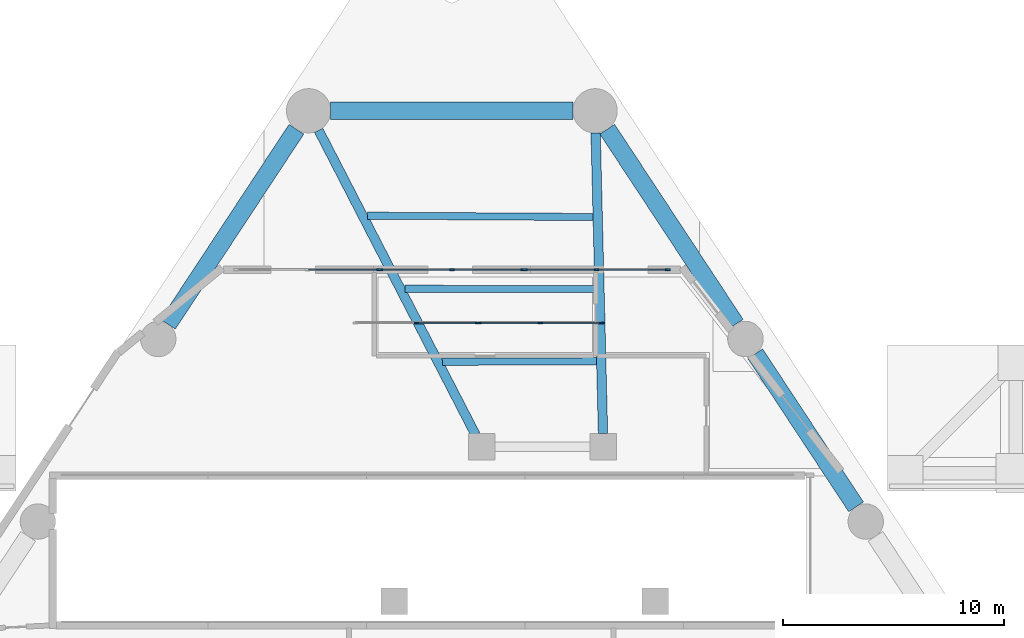
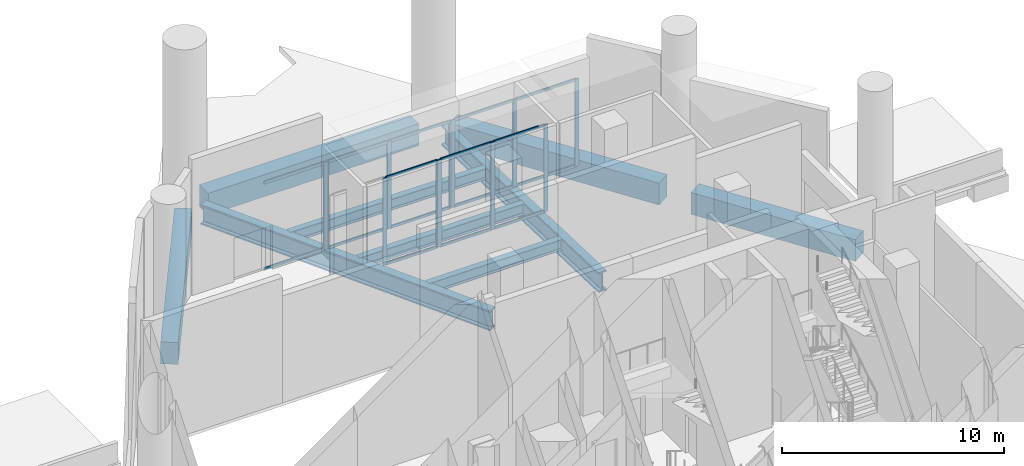
# One storey, part 4 of 12: 28 members, 9 beams, 5 elements without a shape of their own.
"""IFC4 building model written with IfcOpenShell, lengths in metres."""

from ifc_helpers import new_model, si_unit, direction, frame, origin, origin_2d, place, context, subcontext, project, spatial, rectangle, i_section, extrude, material, layer, layer_set, material_profile, profile_set, type_object, element, aggregate, save


model = new_model("IFC4")

# Units and contexts
model_context = context("Model", 3, precision=1e-05, world=origin(), true_north=direction((0.0, 1.0)))
body_context = subcontext(model_context, "Body", "Model", "MODEL_VIEW")
ifc_project = project(units=[si_unit("LENGTHUNIT", "METRE"), si_unit("AREAUNIT", "SQUARE_METRE"), si_unit("VOLUMEUNIT", "CUBIC_METRE"), si_unit("PLANEANGLEUNIT", "RADIAN"), si_unit("MASSUNIT", "GRAM", prefix="KILO")], contexts=[model_context])

# Site, building, storey
site_placement = place(None, origin())
site = spatial("IfcSite", under=ifc_project, at=site_placement, CompositionType="ELEMENT")
building_placement = place(site_placement, origin())
building = spatial("IfcBuilding", under=site, at=building_placement, Name="Almagre Mirador Tower", CompositionType="ELEMENT")
storey_placement = place(building_placement, origin())
storey = spatial("IfcBuildingStorey", under=building, at=storey_placement, Name="L00", CompositionType="ELEMENT", Elevation=0.0)

# Beams
ifc_material_1 = material(Name="Steel ASTM A992 Grade 50", Category="steel")
ifc_material_profile_1 = material_profile(ifc_material_1, i_section(OverallWidth=0.323974609375, OverallDepth=0.611083984375, WebThickness=0.0126953125, FlangeThickness=0.01904296875, FilletRadius=0.02001953125, at=origin_2d()), Name="W24X104")
ifc_profile_set_1 = profile_set([ifc_material_profile_1], Name="Steel ASTM A992 Grade 50")
beam_type_1 = type_object("IfcBeamType", Name="BM-JST-W24X104", PredefinedType="JOIST", material=ifc_profile_set_1)
beam_1_placement = place(storey_placement, frame((42.3837890625, 36.584716796875, -0.60546875), z_axis=(-0.99998337963, 0.005765454414, 0.0), x_axis=(-0.005765454414, -0.99998337963, 0.0)))
element("IfcBeam", 1, at=beam_1_placement, inside=storey, type_object=beam_type_1, Name="L00 secondary floor joist PC08-PC09.1", PredefinedType="JOIST", context=body_context, shape_type="SweptSolid", body=[
    extrude(i_section(OverallWidth=0.323974609375, OverallDepth=0.611083984375, WebThickness=0.0126953125, FlangeThickness=0.01904296875, FilletRadius=0.02001953125, at=origin_2d()), origin(), (0.0, 0.0, 1.0), 10.205322265625),
])
beam_2_placement = place(storey_placement, frame((42.463623046875, 33.32275390625, -0.60546875), z_axis=(-0.999997902347, 0.002048243314, 0.0), x_axis=(-0.002048243314, -0.999997902347, 0.0)))
element("IfcBeam", 2, at=beam_2_placement, inside=storey, type_object=beam_type_1, Name="L00 secondary floor joist PC08-PC09.2", PredefinedType="JOIST", context=body_context, shape_type="SweptSolid", body=[
    extrude(i_section(OverallWidth=0.323974609375, OverallDepth=0.611083984375, WebThickness=0.0126953125, FlangeThickness=0.01904296875, FilletRadius=0.02001953125, at=origin_2d()), origin(), (0.0, 0.0, 1.0), 8.58203125),
])
beam_3_placement = place(storey_placement, frame((42.54345703125, 30.060302734375, -0.60546875), z_axis=(-0.99999479165, -0.003227487137, 0.0), x_axis=(0.003227487137, -0.99999479165, 0.0)))
element("IfcBeam", 3, at=beam_3_placement, inside=storey, type_object=beam_type_1, Name="L00 secondary floor joist PC08-PC09.3", PredefinedType="JOIST", context=body_context, shape_type="SweptSolid", body=[
    extrude(i_section(OverallWidth=0.323974609375, OverallDepth=0.611083984375, WebThickness=0.0126953125, FlangeThickness=0.01904296875, FilletRadius=0.02001953125, at=origin_2d()), origin(), (0.0, 0.0, 1.0), 6.959228515625),
])
ifc_material_2 = material(Name="Precast concrete C50/60", Category="concrete")
ifc_material_profile_2 = material_profile(ifc_material_2, rectangle(XDim=0.800048828125, YDim=1.199951171875, at=origin_2d()), Name="RC800X1200")
ifc_profile_set_2 = profile_set([ifc_material_profile_2], Name="Precast concrete C50/60")
beam_type_2 = type_object("IfcBeamType", Name="BM-SPN-RC800X1200", PredefinedType="SPANDREL", material=ifc_profile_set_2)
beam_4_placement = place(storey_placement, frame((54.27783203125, 23.47998046875, -0.89990234375), z_axis=(-0.55020506323, 0.835029573366, 0.0), x_axis=(-0.835029573366, -0.55020506323, 0.0)))
element("IfcBeam", 4, at=beam_4_placement, inside=storey, type_object=beam_type_2, Name="L00 perimeter spandrel beam PC06-PC07", PredefinedType="SPANDREL", context=body_context, shape_type="SweptSolid", body=[
    extrude(rectangle(XDim=0.800048828125, YDim=1.199951171875, at=origin_2d()), origin(), (0.0, 0.0, 1.0), 8.287109375),
])
beam_5_placement = place(storey_placement, frame((48.837890625, 31.736083984375, -0.89990234375), z_axis=(-0.550210045995, 0.835026290177, 0.0), x_axis=(-0.835026290177, -0.550210045995, 0.0)))
element("IfcBeam", 5, at=beam_5_placement, inside=storey, type_object=beam_type_2, Name="L00 perimeter spandrel beam PC07-PC08", PredefinedType="SPANDREL", context=body_context, shape_type="SweptSolid", body=[
    extrude(rectangle(XDim=0.800048828125, YDim=1.199951171875, at=origin_2d()), origin(), (0.0, 0.0, 1.0), 10.558837890625),
])
beam_6_placement = place(storey_placement, frame((41.47802734375, 41.387939453125, -0.89990234375), z_axis=(-1.0, 0.0, 0.0), x_axis=(0.0, -1.0, 0.0)))
element("IfcBeam", 6, at=beam_6_placement, inside=storey, type_object=beam_type_2, Name="L00 perimeter spandrel beam PC08-PC09", PredefinedType="SPANDREL", context=body_context, shape_type="SweptSolid", body=[
    extrude(rectangle(XDim=0.800048828125, YDim=1.199951171875, at=origin_2d()), origin(), (0.0, 0.0, 1.0), 10.9560546875),
])
beam_7_placement = place(storey_placement, frame((28.9716796875, 40.552978515625, -0.89990234375), z_axis=(-0.550210045995, -0.835026290177, 0.0), x_axis=(0.835026290177, -0.550210045995, 0.0)))
element("IfcBeam", 7, at=beam_7_placement, inside=storey, type_object=beam_type_2, Name="L00 perimeter spandrel beam PC09-PC10", PredefinedType="SPANDREL", context=body_context, shape_type="SweptSolid", body=[
    extrude(rectangle(XDim=0.800048828125, YDim=1.199951171875, at=origin_2d()), origin(), (0.0, 0.0, 1.0), 10.558837890625),
])
ifc_material_3 = material(Name="Steel ASTM A913 Grade 65", Category="steel")
ifc_material_profile_3 = material_profile(ifc_material_3, i_section(OverallWidth=0.424072265625, OverallDepth=1.092041015625, WebThickness=0.04541015625, FlangeThickness=0.08203125, FilletRadius=0.030029296875, at=origin_2d()), Name="W40X593")
ifc_profile_set_3 = profile_set([ifc_material_profile_3], Name="Steel ASTM A913 Grade 65")
beam_type_3 = type_object("IfcBeamType", Name="BM-STL-W40X593", PredefinedType="BEAM", material=ifc_profile_set_3)
beam_8_placement = place(storey_placement, frame((42.50244140625, 40.38818359375, -0.845947265625), z_axis=(0.024481502854, -0.999700283094, 0.0), x_axis=(0.999700283094, 0.024481502854, 0.0)))
element("IfcBeam", 8, at=beam_8_placement, inside=storey, type_object=beam_type_3, Name="L00 radial floor girder PC08-MC6", PredefinedType="BEAM", context=body_context, shape_type="SweptSolid", body=[
    extrude(i_section(OverallWidth=0.424072265625, OverallDepth=1.092041015625, WebThickness=0.04541015625, FlangeThickness=0.08203125, FilletRadius=0.030029296875, at=origin_2d()), origin(), (0.0, 0.0, 1.0), 13.592529296875),
])
beam_9_placement = place(storey_placement, frame((29.97998046875, 40.4990234375, -0.845947265625), z_axis=(0.458152137996, -0.888873792194, 0.0), x_axis=(0.888873792194, 0.458152137996, 0.0)))
element("IfcBeam", 9, at=beam_9_placement, inside=storey, type_object=beam_type_3, Name="L00 radial floor girder PC09-MC7", PredefinedType="BEAM", context=body_context, shape_type="SweptSolid", body=[
    extrude(i_section(OverallWidth=0.424072265625, OverallDepth=1.092041015625, WebThickness=0.04541015625, FlangeThickness=0.08203125, FilletRadius=0.030029296875, at=origin_2d()), origin(), (0.0, 0.0, 1.0), 15.486572265625),
])

# Curtain wall, members
ifc_material_4 = material(Name="Black anodized aluminium", Category="aluminium")
ifc_layer = layer(ifc_material_4, 0.219970703125)
ifc_layer_set = layer_set([ifc_layer], Name="Black anodized aluminium")
curtain_wall_type = type_object("IfcCurtainWallType", Name="CW-POD-SYS", PredefinedType="NOTDEFINED", material=ifc_layer_set)
curtain_wall_1_placement = place(storey_placement, origin())
curtain_wall_1 = element("IfcCurtainWall", 10, at=curtain_wall_1_placement, inside=storey, type_object=curtain_wall_type, Name="L00 lobby curtain wall 1.1", PredefinedType="NOTDEFINED")
ifc_material_5 = material(Name="Black anodized aluminium", Category="aluminium")
ifc_material_profile_4 = material_profile(ifc_material_5, rectangle(XDim=0.070068359375, YDim=0.2099609375, at=origin_2d()), Name="CWM70X210")
ifc_profile_set_4 = profile_set([ifc_material_profile_4], Name="Black anodized aluminium")
member_type_1 = type_object("IfcMemberType", Name="MBR-CWM70X210", PredefinedType="MULLION", material=ifc_profile_set_4)
member_1_placement = place(storey_placement, frame((34.39990234375, 31.800048828125, 0.0), z_axis=(0.0, 0.0, 1.0), x_axis=(0.0, 1.0, 0.0)))
member_1 = element("IfcMember", 11, at=member_1_placement, type_object=member_type_1, Name="CW-1 mullion 2", PredefinedType="MULLION", context=body_context, shape_type="SweptSolid", body=[
    extrude(rectangle(XDim=0.070068359375, YDim=0.2099609375, at=origin_2d()), origin(), (0.0, 0.0, 1.0), 4.800048828125),
])
member_2_placement = place(storey_placement, frame((37.1650390625, 31.800048828125, 0.0), z_axis=(0.0, 0.0, 1.0), x_axis=(0.0, 1.0, 0.0)))
member_2 = element("IfcMember", 12, at=member_2_placement, type_object=member_type_1, Name="CW-1 mullion 3", PredefinedType="MULLION", context=body_context, shape_type="SweptSolid", body=[
    extrude(rectangle(XDim=0.070068359375, YDim=0.2099609375, at=origin_2d()), origin(), (0.0, 0.0, 1.0), 4.800048828125),
])

curtain_wall_2_placement = place(storey_placement, origin())
curtain_wall_2 = element("IfcCurtainWall", 13, at=curtain_wall_2_placement, inside=storey, type_object=curtain_wall_type, Name="L00 lobby curtain wall 1.2", PredefinedType="NOTDEFINED")
member_3_placement = place(storey_placement, frame((37.235107421875, 31.800048828125, 0.0), z_axis=(0.0, 0.0, 1.0), x_axis=(0.0, 1.0, 0.0)))
member_3 = element("IfcMember", 14, at=member_3_placement, type_object=member_type_1, Name="CW-1 mullion 1", PredefinedType="MULLION", context=body_context, shape_type="SweptSolid", body=[
    extrude(rectangle(XDim=0.070068359375, YDim=0.2099609375, at=origin_2d()), origin(), (0.0, 0.0, 1.0), 4.800048828125),
])
member_4_placement = place(storey_placement, frame((40.0, 31.800048828125, 0.0), z_axis=(0.0, 0.0, 1.0), x_axis=(0.0, 1.0, 0.0)))
member_4 = element("IfcMember", 15, at=member_4_placement, type_object=member_type_1, Name="CW-1 mullion 2", PredefinedType="MULLION", context=body_context, shape_type="SweptSolid", body=[
    extrude(rectangle(XDim=0.070068359375, YDim=0.2099609375, at=origin_2d()), origin(), (0.0, 0.0, 1.0), 4.800048828125),
])
member_5_placement = place(storey_placement, frame((42.764892578125, 31.800048828125, 0.0), z_axis=(0.0, 0.0, 1.0), x_axis=(0.0, 1.0, 0.0)))
member_5 = element("IfcMember", 16, at=member_5_placement, type_object=member_type_1, Name="CW-1 mullion 3", PredefinedType="MULLION", context=body_context, shape_type="SweptSolid", body=[
    extrude(rectangle(XDim=0.070068359375, YDim=0.2099609375, at=origin_2d()), origin(), (0.0, 0.0, 1.0), 4.800048828125),
])

# Curtain wall, member
curtain_wall_3_placement = place(storey_placement, origin())
curtain_wall_3 = element("IfcCurtainWall", 17, at=curtain_wall_3_placement, inside=storey, type_object=curtain_wall_type, Name="L00 lobby curtain wall 2.1", PredefinedType="NOTDEFINED")
member_6_placement = place(storey_placement, frame((32.6982421875, 34.199951171875, 0.0), z_axis=(0.0, 0.0, 1.0), x_axis=(0.0, 1.0, 0.0)))
member_6 = element("IfcMember", 18, at=member_6_placement, type_object=member_type_1, Name="CW-1 mullion 3", PredefinedType="MULLION", context=body_context, shape_type="SweptSolid", body=[
    extrude(rectangle(XDim=0.070068359375, YDim=0.2099609375, at=origin_2d()), origin(), (0.0, 0.0, 1.0), 4.800048828125),
])

# Curtain wall, members
curtain_wall_4_placement = place(storey_placement, origin())
curtain_wall_4 = element("IfcCurtainWall", 19, at=curtain_wall_4_placement, inside=storey, type_object=curtain_wall_type, Name="L00 lobby curtain wall 2.2", PredefinedType="NOTDEFINED")
member_7_placement = place(storey_placement, frame((32.768310546875, 34.199951171875, 0.0), z_axis=(0.0, 0.0, 1.0), x_axis=(0.0, 1.0, 0.0)))
member_7 = element("IfcMember", 20, at=member_7_placement, type_object=member_type_1, Name="CW-1 mullion 1", PredefinedType="MULLION", context=body_context, shape_type="SweptSolid", body=[
    extrude(rectangle(XDim=0.070068359375, YDim=0.2099609375, at=origin_2d()), origin(), (0.0, 0.0, 1.0), 4.800048828125),
])
member_8_placement = place(storey_placement, frame((36.0, 34.199951171875, 0.0), z_axis=(0.0, 0.0, 1.0), x_axis=(0.0, 1.0, 0.0)))
member_8 = element("IfcMember", 21, at=member_8_placement, type_object=member_type_1, Name="CW-1 mullion 2", PredefinedType="MULLION", context=body_context, shape_type="SweptSolid", body=[
    extrude(rectangle(XDim=0.070068359375, YDim=0.2099609375, at=origin_2d()), origin(), (0.0, 0.0, 1.0), 4.800048828125),
])
member_9_placement = place(storey_placement, frame((39.231689453125, 34.199951171875, 0.0), z_axis=(0.0, 0.0, 1.0), x_axis=(0.0, 1.0, 0.0)))
member_9 = element("IfcMember", 22, at=member_9_placement, type_object=member_type_1, Name="CW-1 mullion 3", PredefinedType="MULLION", context=body_context, shape_type="SweptSolid", body=[
    extrude(rectangle(XDim=0.070068359375, YDim=0.2099609375, at=origin_2d()), origin(), (0.0, 0.0, 1.0), 4.800048828125),
])

curtain_wall_5_placement = place(storey_placement, origin())
curtain_wall_5 = element("IfcCurtainWall", 23, at=curtain_wall_5_placement, inside=storey, type_object=curtain_wall_type, Name="L00 lobby curtain wall 2.3", PredefinedType="NOTDEFINED")
member_10_placement = place(storey_placement, frame((39.3017578125, 34.199951171875, 0.0), z_axis=(0.0, 0.0, 1.0), x_axis=(0.0, 1.0, 0.0)))
member_10 = element("IfcMember", 24, at=member_10_placement, type_object=member_type_1, Name="CW-1 mullion 1", PredefinedType="MULLION", context=body_context, shape_type="SweptSolid", body=[
    extrude(rectangle(XDim=0.070068359375, YDim=0.2099609375, at=origin_2d()), origin(), (0.0, 0.0, 1.0), 4.800048828125),
])
member_11_placement = place(storey_placement, frame((42.533447265625, 34.199951171875, 0.0), z_axis=(0.0, 0.0, 1.0), x_axis=(0.0, 1.0, 0.0)))
member_11 = element("IfcMember", 25, at=member_11_placement, type_object=member_type_1, Name="CW-1 mullion 2", PredefinedType="MULLION", context=body_context, shape_type="SweptSolid", body=[
    extrude(rectangle(XDim=0.070068359375, YDim=0.2099609375, at=origin_2d()), origin(), (0.0, 0.0, 1.0), 4.800048828125),
])
member_12_placement = place(storey_placement, frame((45.764892578125, 34.199951171875, 0.0), z_axis=(0.0, 0.0, 1.0), x_axis=(0.0, 1.0, 0.0)))
member_12 = element("IfcMember", 26, at=member_12_placement, type_object=member_type_1, Name="CW-1 mullion 3", PredefinedType="MULLION", context=body_context, shape_type="SweptSolid", body=[
    extrude(rectangle(XDim=0.070068359375, YDim=0.2099609375, at=origin_2d()), origin(), (0.0, 0.0, 1.0), 4.800048828125),
])

# Member
ifc_material_6 = material(Name="Black anodized aluminium", Category="aluminium")
ifc_material_profile_5 = material_profile(ifc_material_6, rectangle(XDim=0.06494140625, YDim=0.14990234375, at=origin_2d()), Name="CWT65X150")
ifc_profile_set_5 = profile_set([ifc_material_profile_5], Name="Black anodized aluminium")
member_type_2 = type_object("IfcMemberType", Name="MBR-CWT65X150", PredefinedType="USERDEFINED", material=ifc_profile_set_5)
member_13_placement = place(storey_placement, frame((34.43505859375, 31.800048828125, 0.032470703125), z_axis=(1.0, 0.0, 0.0), x_axis=(0.0, 1.0, 0.0)))
member_13 = element("IfcMember", 27, at=member_13_placement, type_object=member_type_2, Name="CW-1 transom 2.1", ObjectType="TRANSOM", PredefinedType="USERDEFINED", context=body_context, shape_type="SweptSolid", body=[
    extrude(rectangle(XDim=0.06494140625, YDim=0.14990234375, at=origin_2d()), origin(), (0.0, 0.0, 1.0), 2.69482421875),
])

member_14_placement = place(storey_placement, frame((34.43505859375, 31.800048828125, 4.767578125), z_axis=(1.0, 0.0, 0.0), x_axis=(0.0, 1.0, 0.0)))
member_14 = element("IfcMember", 28, at=member_14_placement, type_object=member_type_2, Name="CW-1 transom 2.2", ObjectType="TRANSOM", PredefinedType="USERDEFINED", context=body_context, shape_type="SweptSolid", body=[
    extrude(rectangle(XDim=0.06494140625, YDim=0.14990234375, at=origin_2d()), origin(), (0.0, 0.0, 1.0), 2.69482421875),
])

aggregate(curtain_wall_1, [member_1, member_2, member_13, member_14])

member_15_placement = place(storey_placement, frame((37.27001953125, 31.800048828125, 0.032470703125), z_axis=(1.0, 0.0, 0.0), x_axis=(0.0, 1.0, 0.0)))
member_15 = element("IfcMember", 29, at=member_15_placement, type_object=member_type_2, Name="CW-1 transom 1.1", ObjectType="TRANSOM", PredefinedType="USERDEFINED", context=body_context, shape_type="SweptSolid", body=[
    extrude(rectangle(XDim=0.06494140625, YDim=0.14990234375, at=origin_2d()), origin(), (0.0, 0.0, 1.0), 2.695068359375),
])

member_16_placement = place(storey_placement, frame((37.27001953125, 31.800048828125, 4.767578125), z_axis=(1.0, 0.0, 0.0), x_axis=(0.0, 1.0, 0.0)))
member_16 = element("IfcMember", 30, at=member_16_placement, type_object=member_type_2, Name="CW-1 transom 1.2", ObjectType="TRANSOM", PredefinedType="USERDEFINED", context=body_context, shape_type="SweptSolid", body=[
    extrude(rectangle(XDim=0.06494140625, YDim=0.14990234375, at=origin_2d()), origin(), (0.0, 0.0, 1.0), 2.695068359375),
])

member_17_placement = place(storey_placement, frame((40.034912109375, 31.800048828125, 0.032470703125), z_axis=(1.0, 0.0, 0.0), x_axis=(0.0, 1.0, 0.0)))
member_17 = element("IfcMember", 31, at=member_17_placement, type_object=member_type_2, Name="CW-1 transom 2.1", ObjectType="TRANSOM", PredefinedType="USERDEFINED", context=body_context, shape_type="SweptSolid", body=[
    extrude(rectangle(XDim=0.06494140625, YDim=0.14990234375, at=origin_2d()), origin(), (0.0, 0.0, 1.0), 2.695068359375),
])

member_18_placement = place(storey_placement, frame((40.034912109375, 31.800048828125, 4.767578125), z_axis=(1.0, 0.0, 0.0), x_axis=(0.0, 1.0, 0.0)))
member_18 = element("IfcMember", 32, at=member_18_placement, type_object=member_type_2, Name="CW-1 transom 2.2", ObjectType="TRANSOM", PredefinedType="USERDEFINED", context=body_context, shape_type="SweptSolid", body=[
    extrude(rectangle(XDim=0.06494140625, YDim=0.14990234375, at=origin_2d()), origin(), (0.0, 0.0, 1.0), 2.695068359375),
])

aggregate(curtain_wall_2, [member_3, member_4, member_5, member_15, member_16, member_17, member_18])

member_19_placement = place(storey_placement, frame((29.501708984375, 34.199951171875, 0.032470703125), z_axis=(1.0, 0.0, 0.0), x_axis=(0.0, 1.0, 0.0)))
member_19 = element("IfcMember", 33, at=member_19_placement, type_object=member_type_2, Name="CW-1 transom 2.1", ObjectType="TRANSOM", PredefinedType="USERDEFINED", context=body_context, shape_type="SweptSolid", body=[
    extrude(rectangle(XDim=0.06494140625, YDim=0.14990234375, at=origin_2d()), origin(), (0.0, 0.0, 1.0), 3.16162109375),
])

member_20_placement = place(storey_placement, frame((29.501708984375, 34.199951171875, 4.767578125), z_axis=(1.0, 0.0, 0.0), x_axis=(0.0, 1.0, 0.0)))
member_20 = element("IfcMember", 34, at=member_20_placement, type_object=member_type_2, Name="CW-1 transom 2.2", ObjectType="TRANSOM", PredefinedType="USERDEFINED", context=body_context, shape_type="SweptSolid", body=[
    extrude(rectangle(XDim=0.06494140625, YDim=0.14990234375, at=origin_2d()), origin(), (0.0, 0.0, 1.0), 3.16162109375),
])

aggregate(curtain_wall_3, [member_6, member_19, member_20])

member_21_placement = place(storey_placement, frame((32.80322265625, 34.199951171875, 0.032470703125), z_axis=(1.0, 0.0, 0.0), x_axis=(0.0, 1.0, 0.0)))
member_21 = element("IfcMember", 35, at=member_21_placement, type_object=member_type_2, Name="CW-1 transom 1.1", ObjectType="TRANSOM", PredefinedType="USERDEFINED", context=body_context, shape_type="SweptSolid", body=[
    extrude(rectangle(XDim=0.06494140625, YDim=0.14990234375, at=origin_2d()), origin(), (0.0, 0.0, 1.0), 3.161865234375),
])

member_22_placement = place(storey_placement, frame((32.80322265625, 34.199951171875, 4.767578125), z_axis=(1.0, 0.0, 0.0), x_axis=(0.0, 1.0, 0.0)))
member_22 = element("IfcMember", 36, at=member_22_placement, type_object=member_type_2, Name="CW-1 transom 1.2", ObjectType="TRANSOM", PredefinedType="USERDEFINED", context=body_context, shape_type="SweptSolid", body=[
    extrude(rectangle(XDim=0.06494140625, YDim=0.14990234375, at=origin_2d()), origin(), (0.0, 0.0, 1.0), 3.161865234375),
])

member_23_placement = place(storey_placement, frame((36.034912109375, 34.199951171875, 0.032470703125), z_axis=(1.0, 0.0, 0.0), x_axis=(0.0, 1.0, 0.0)))
member_23 = element("IfcMember", 37, at=member_23_placement, type_object=member_type_2, Name="CW-1 transom 2.1", ObjectType="TRANSOM", PredefinedType="USERDEFINED", context=body_context, shape_type="SweptSolid", body=[
    extrude(rectangle(XDim=0.06494140625, YDim=0.14990234375, at=origin_2d()), origin(), (0.0, 0.0, 1.0), 3.161865234375),
])

member_24_placement = place(storey_placement, frame((36.034912109375, 34.199951171875, 4.767578125), z_axis=(1.0, 0.0, 0.0), x_axis=(0.0, 1.0, 0.0)))
member_24 = element("IfcMember", 38, at=member_24_placement, type_object=member_type_2, Name="CW-1 transom 2.2", ObjectType="TRANSOM", PredefinedType="USERDEFINED", context=body_context, shape_type="SweptSolid", body=[
    extrude(rectangle(XDim=0.06494140625, YDim=0.14990234375, at=origin_2d()), origin(), (0.0, 0.0, 1.0), 3.161865234375),
])

aggregate(curtain_wall_4, [member_7, member_8, member_9, member_21, member_22, member_23, member_24])

member_25_placement = place(storey_placement, frame((39.336669921875, 34.199951171875, 0.032470703125), z_axis=(1.0, 0.0, 0.0), x_axis=(0.0, 1.0, 0.0)))
member_25 = element("IfcMember", 39, at=member_25_placement, type_object=member_type_2, Name="CW-1 transom 1.1", ObjectType="TRANSOM", PredefinedType="USERDEFINED", context=body_context, shape_type="SweptSolid", body=[
    extrude(rectangle(XDim=0.06494140625, YDim=0.14990234375, at=origin_2d()), origin(), (0.0, 0.0, 1.0), 3.16162109375),
])

member_26_placement = place(storey_placement, frame((39.336669921875, 34.199951171875, 4.767578125), z_axis=(1.0, 0.0, 0.0), x_axis=(0.0, 1.0, 0.0)))
member_26 = element("IfcMember", 40, at=member_26_placement, type_object=member_type_2, Name="CW-1 transom 1.2", ObjectType="TRANSOM", PredefinedType="USERDEFINED", context=body_context, shape_type="SweptSolid", body=[
    extrude(rectangle(XDim=0.06494140625, YDim=0.14990234375, at=origin_2d()), origin(), (0.0, 0.0, 1.0), 3.16162109375),
])

member_27_placement = place(storey_placement, frame((42.568359375, 34.199951171875, 0.032470703125), z_axis=(1.0, 0.0, 0.0), x_axis=(0.0, 1.0, 0.0)))
member_27 = element("IfcMember", 41, at=member_27_placement, type_object=member_type_2, Name="CW-1 transom 2.1", ObjectType="TRANSOM", PredefinedType="USERDEFINED", context=body_context, shape_type="SweptSolid", body=[
    extrude(rectangle(XDim=0.06494140625, YDim=0.14990234375, at=origin_2d()), origin(), (0.0, 0.0, 1.0), 3.16162109375),
])

member_28_placement = place(storey_placement, frame((42.568359375, 34.199951171875, 4.767578125), z_axis=(1.0, 0.0, 0.0), x_axis=(0.0, 1.0, 0.0)))
member_28 = element("IfcMember", 42, at=member_28_placement, type_object=member_type_2, Name="CW-1 transom 2.2", ObjectType="TRANSOM", PredefinedType="USERDEFINED", context=body_context, shape_type="SweptSolid", body=[
    extrude(rectangle(XDim=0.06494140625, YDim=0.14990234375, at=origin_2d()), origin(), (0.0, 0.0, 1.0), 3.16162109375),
])

aggregate(curtain_wall_5, [member_10, member_11, member_12, member_25, member_26, member_27, member_28])

save(model, "model.ifc")
